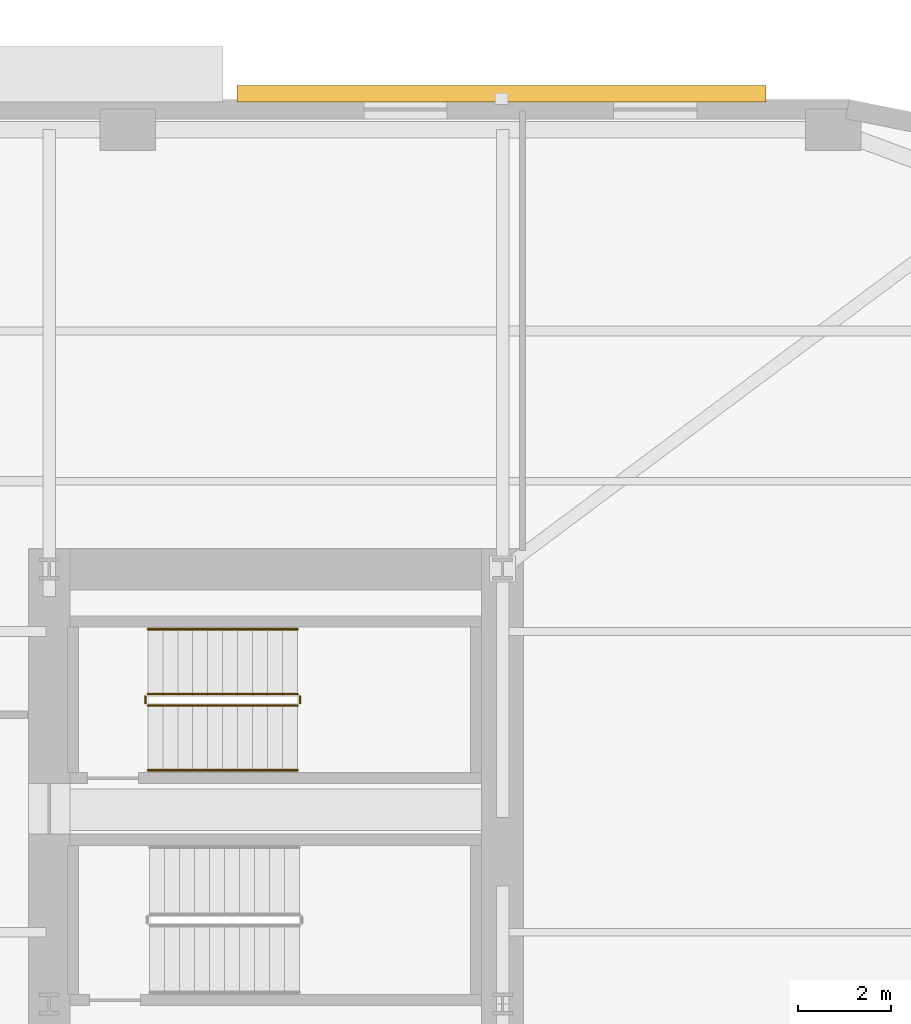
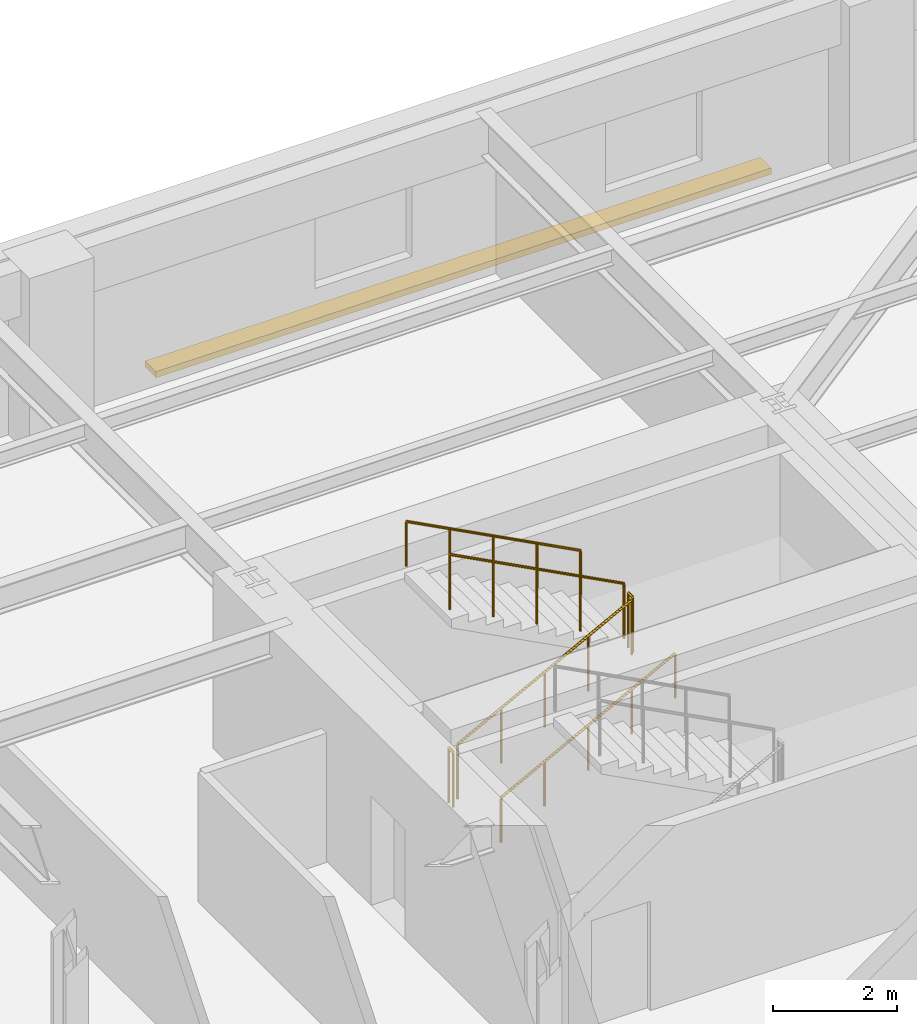
# One storey, part 13 of 14: 6 railings, 1 shading device.
"""IFC4 building model written with IfcOpenShell, lengths in metres."""

from ifc_helpers import new_model, si_unit, direction, frame, origin, origin_2d, place, context, subcontext, project, spatial, rectangle, circle, extrude, material, type_object, element, save


model = new_model("IFC4")

# Units and contexts
model_context = context("Model", 3, precision=1e-05, world=origin(), true_north=direction((0.0, 1.0)))
body_context = subcontext(model_context, "Body", "Model", "MODEL_VIEW")
ifc_project = project(units=[si_unit("LENGTHUNIT", "METRE"), si_unit("AREAUNIT", "SQUARE_METRE"), si_unit("VOLUMEUNIT", "CUBIC_METRE"), si_unit("PLANEANGLEUNIT", "RADIAN"), si_unit("MASSUNIT", "GRAM", prefix="KILO")], contexts=[model_context])

# Site, building, storey
site_placement = place(None, origin())
site = spatial("IfcSite", under=ifc_project, at=site_placement, CompositionType="ELEMENT")
building_placement = place(site_placement, origin())
building = spatial("IfcBuilding", under=site, at=building_placement, Name="Kolvaren Arena Tower", CompositionType="ELEMENT")
storey_placement = place(building_placement, frame((0.0, 0.0, 87.0)))
storey = spatial("IfcBuildingStorey", under=building, at=storey_placement, Name="L19", CompositionType="ELEMENT", Elevation=87.0)

# Railings
ifc_material_1 = material(Name="Painted galvanized steel", Category="steel")
railing_type_1 = type_object("IfcRailingType", Name="GUARD-ST-110", PredefinedType="GUARDRAIL", material=ifc_material_1)
railing_1_placement = place(storey_placement, frame((52.679931640625, 36.39990234375, 0.17041015625)))
element("IfcRailing", 1, at=railing_1_placement, inside=storey, type_object=railing_type_1, Name="L19 ST-E2 stair guard 1", PredefinedType="GUARDRAIL", context=body_context, shape_type="SweptSolid", body=[
    extrude(circle(Radius=0.02392578125, at=origin_2d()), frame((0.0, 0.0, 1.076171875), z_axis=(0.884993431791, 0.0, 0.465603506952), x_axis=(0.0, 1.0, 0.0)), (0.0, 0.0, 1.0), 3.6611328125),
    extrude(circle(Radius=0.02099609375, at=origin_2d()), origin(), (0.0, 0.0, 1.0), 1.052001953125),
    extrude(circle(Radius=0.02099609375, at=origin_2d()), frame((0.81005859375, 0.0, 0.42626953125)), (0.0, 0.0, 1.0), 1.052001953125),
    extrude(circle(Radius=0.02099609375, at=origin_2d()), frame((1.6201171875, 0.0, 0.852294921875)), (0.0, 0.0, 1.0), 1.052001953125),
    extrude(circle(Radius=0.02099609375, at=origin_2d()), frame((2.429931640625, 0.0, 1.2783203125)), (0.0, 0.0, 1.0), 1.052001953125),
    extrude(circle(Radius=0.02099609375, at=origin_2d()), frame((3.239990234375, 0.0, 1.70458984375)), (0.0, 0.0, 1.0), 1.052001953125),
])
railing_2_placement = place(storey_placement, frame((55.969970703125, 36.449951171875, 1.875)))
element("IfcRailing", 2, at=railing_2_placement, inside=storey, type_object=railing_type_1, Name="L19 ST-E2 stair guard 2", PredefinedType="GUARDRAIL", context=body_context, shape_type="SweptSolid", body=[
    extrude(circle(Radius=0.02392578125, at=origin_2d()), frame((0.0, 0.0, 1.076171875), z_axis=(0.0, 1.0, 0.0), x_axis=(-1.0, 0.0, 0.0)), (0.0, 0.0, 1.0), 0.150146484375),
    extrude(circle(Radius=0.02099609375, at=origin_2d()), origin(), (0.0, 0.0, 1.0), 1.052001953125),
    extrude(circle(Radius=0.02099609375, at=origin_2d()), frame((0.0, 0.150146484375, 0.0)), (0.0, 0.0, 1.0), 1.052001953125),
])
railing_3_placement = place(storey_placement, frame((55.919921875, 36.64990234375, 2.04541015625)))
element("IfcRailing", 3, at=railing_3_placement, inside=storey, type_object=railing_type_1, Name="L19 ST-E2 stair guard 3", PredefinedType="GUARDRAIL", context=body_context, shape_type="SweptSolid", body=[
    extrude(circle(Radius=0.02392578125, at=origin_2d()), frame((0.0, 0.0, 1.076171875), z_axis=(-0.884993431791, 0.0, 0.465603506952), x_axis=(0.0, -1.0, 0.0)), (0.0, 0.0, 1.0), 3.6611328125),
    extrude(circle(Radius=0.02099609375, at=origin_2d()), origin(), (0.0, 0.0, 1.0), 1.052001953125),
    extrude(circle(Radius=0.02099609375, at=origin_2d()), frame((-0.81005859375, 0.0, 0.42626953125)), (0.0, 0.0, 1.0), 1.052001953125),
    extrude(circle(Radius=0.02099609375, at=origin_2d()), frame((-1.6201171875, 0.0, 0.852294921875)), (0.0, 0.0, 1.0), 1.052001953125),
    extrude(circle(Radius=0.02099609375, at=origin_2d()), frame((-2.429931640625, 0.0, 1.2783203125)), (0.0, 0.0, 1.0), 1.052001953125),
    extrude(circle(Radius=0.02099609375, at=origin_2d()), frame((-3.239990234375, 0.0, 1.70458984375)), (0.0, 0.0, 1.0), 1.052001953125),
])
railing_4_placement = place(storey_placement, frame((52.6298828125, 36.449951171875, 0.0)))
element("IfcRailing", 4, at=railing_4_placement, inside=storey, type_object=railing_type_1, Name="L19 ST-E2 stair guard 4", PredefinedType="GUARDRAIL", context=body_context, shape_type="SweptSolid", body=[
    extrude(circle(Radius=0.02392578125, at=origin_2d()), frame((0.0, 0.0, 1.076171875), z_axis=(0.0, 1.0, 0.0), x_axis=(-1.0, 0.0, 0.0)), (0.0, 0.0, 1.0), 0.150146484375),
    extrude(circle(Radius=0.02099609375, at=origin_2d()), origin(), (0.0, 0.0, 1.0), 1.052001953125),
    extrude(circle(Radius=0.02099609375, at=origin_2d()), frame((0.0, 0.150146484375, 0.0)), (0.0, 0.0, 1.0), 1.052001953125),
])
ifc_material_2 = material(Name="Brushed stainless steel handrail", Category="steel")
railing_type_2 = type_object("IfcRailingType", Name="HRAIL-900", PredefinedType="HANDRAIL", material=ifc_material_2)
railing_5_placement = place(storey_placement, frame((52.679931640625, 35.0, 0.17041015625)))
element("IfcRailing", 5, at=railing_5_placement, inside=storey, type_object=railing_type_2, Name="L19 ST-E2 stair handrail 1", PredefinedType="HANDRAIL", context=body_context, shape_type="SweptSolid", body=[
    extrude(circle(Radius=0.02392578125, at=origin_2d()), frame((0.0, 0.0, 0.8759765625), z_axis=(0.884993431791, 0.0, 0.465603506952), x_axis=(0.0, 1.0, 0.0)), (0.0, 0.0, 1.0), 3.6611328125),
    extrude(circle(Radius=0.02099609375, at=origin_2d()), origin(), (0.0, 0.0, 1.0), 0.851806640625),
    extrude(circle(Radius=0.02099609375, at=origin_2d()), frame((0.81005859375, 0.0, 0.42626953125)), (0.0, 0.0, 1.0), 0.851806640625),
    extrude(circle(Radius=0.02099609375, at=origin_2d()), frame((1.6201171875, 0.0, 0.852294921875)), (0.0, 0.0, 1.0), 0.851806640625),
    extrude(circle(Radius=0.02099609375, at=origin_2d()), frame((2.429931640625, 0.0, 1.2783203125)), (0.0, 0.0, 1.0), 0.851806640625),
    extrude(circle(Radius=0.02099609375, at=origin_2d()), frame((3.239990234375, 0.0, 1.70458984375)), (0.0, 0.0, 1.0), 0.851806640625),
])
railing_6_placement = place(storey_placement, frame((55.919921875, 38.050048828125, 2.04541015625)))
element("IfcRailing", 6, at=railing_6_placement, inside=storey, type_object=railing_type_2, Name="L19 ST-E2 stair handrail 2", PredefinedType="HANDRAIL", context=body_context, shape_type="SweptSolid", body=[
    extrude(circle(Radius=0.02392578125, at=origin_2d()), frame((0.0, 0.0, 0.8759765625), z_axis=(-0.884993431791, 0.0, 0.465603506952), x_axis=(0.0, -1.0, 0.0)), (0.0, 0.0, 1.0), 3.6611328125),
    extrude(circle(Radius=0.02099609375, at=origin_2d()), origin(), (0.0, 0.0, 1.0), 0.851806640625),
    extrude(circle(Radius=0.02099609375, at=origin_2d()), frame((-0.81005859375, 0.0, 0.42626953125)), (0.0, 0.0, 1.0), 0.851806640625),
    extrude(circle(Radius=0.02099609375, at=origin_2d()), frame((-1.6201171875, 0.0, 0.852294921875)), (0.0, 0.0, 1.0), 0.851806640625),
    extrude(circle(Radius=0.02099609375, at=origin_2d()), frame((-2.429931640625, 0.0, 1.2783203125)), (0.0, 0.0, 1.0), 0.851806640625),
    extrude(circle(Radius=0.02099609375, at=origin_2d()), frame((-3.239990234375, 0.0, 1.70458984375)), (0.0, 0.0, 1.0), 0.851806640625),
])

# Shading device
ifc_material_3 = material(Name="Architectural precast GFRC and anodised aluminium sunshade", Category="concrete")
shading_device_type = type_object("IfcShadingDeviceType", Name="SHAD-SINE-A", PredefinedType="USERDEFINED", material=ifc_material_3)
shading_device_placement = place(storey_placement, frame((60.330078125, 49.6259765625, -0.14013671875), z_axis=(0.0, 0.0, 1.0), x_axis=(1.0, 0.0, 0.0)))
element("IfcShadingDevice", 7, at=shading_device_placement, inside=storey, type_object=shading_device_type, Name="Sinusoidal Slab-Edge Sunshade Louvre (L19)", ObjectType="LOUVRE", PredefinedType="USERDEFINED", context=body_context, shape_type="SweptSolid", body=[
    extrude(rectangle(XDim=11.43994140625, YDim=0.351806640625, at=origin_2d()), origin(), (0.0, 0.0, 1.0), 0.1201171875),
])

save(model, "model.ifc")
